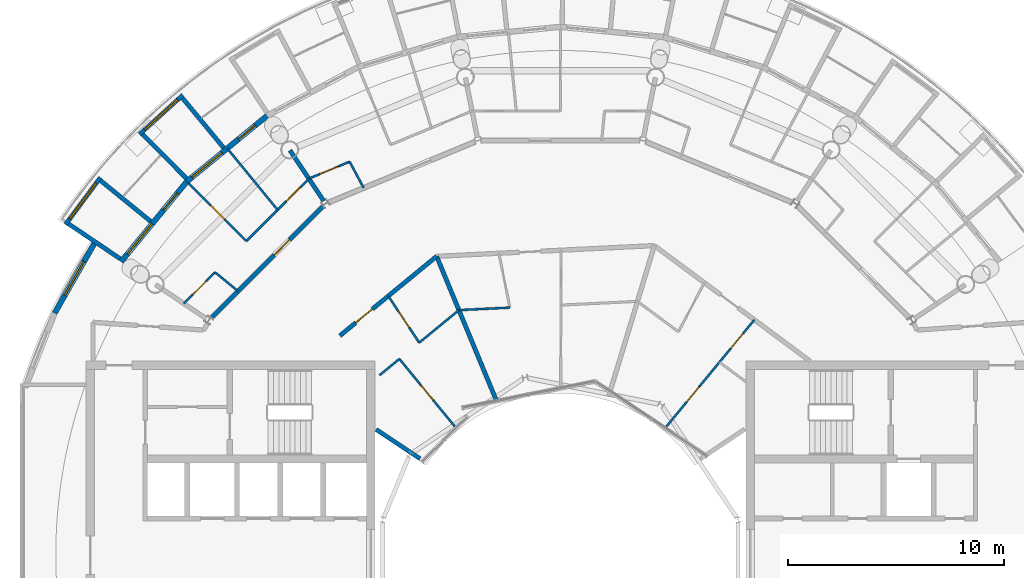
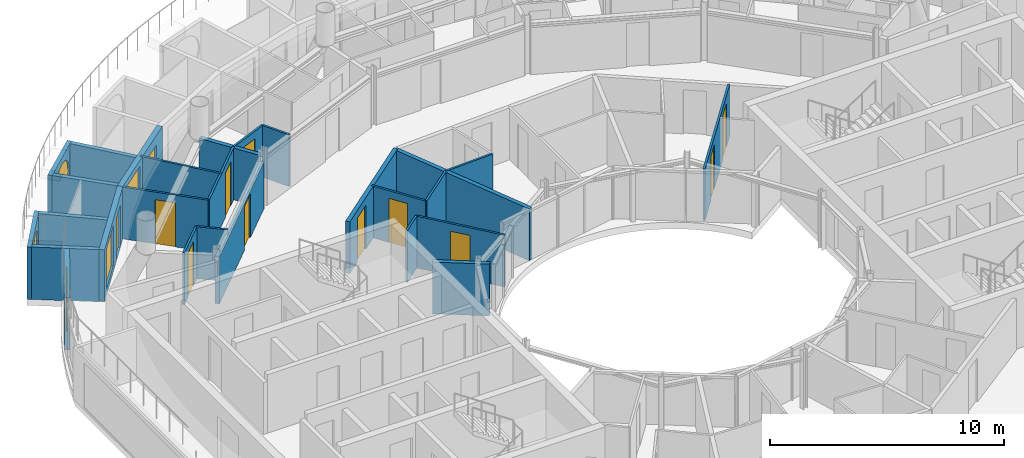
# One storey, part 18 of 25: 27 walls, 12 doors, 5 windows, 17 openings.
"""IFC4 building model written with IfcOpenShell, lengths in metres."""

from ifc_helpers import new_model, si_unit, direction, frame, frame_2d, origin, place, context, subcontext, project, spatial, rectangle, circle, extrude, material, layer, layer_set, type_object, element, fill, save


model = new_model("IFC4")

# Units and contexts
model_context = context("Model", 3, precision=1e-05, world=origin(), true_north=direction((0.0, 1.0)))
body_context = subcontext(model_context, "Body", "Model", "MODEL_VIEW")
ifc_project = project(units=[si_unit("LENGTHUNIT", "METRE"), si_unit("AREAUNIT", "SQUARE_METRE"), si_unit("VOLUMEUNIT", "CUBIC_METRE"), si_unit("PLANEANGLEUNIT", "RADIAN"), si_unit("MASSUNIT", "GRAM", prefix="KILO")], contexts=[model_context])

# Site, building, storey
site_placement = place(None, origin())
site = spatial("IfcSite", under=ifc_project, at=site_placement, CompositionType="ELEMENT")
building_placement = place(site_placement, origin())
building = spatial("IfcBuilding", under=site, at=building_placement, Name="Maasbend Ring Residences", CompositionType="ELEMENT")
storey_placement = place(building_placement, frame((0.0, 0.0, 246.25)))
storey = spatial("IfcBuildingStorey", under=building, at=storey_placement, Name="L71", CompositionType="ELEMENT", Elevation=246.25)

# Wall, opening, door
ifc_material_1 = material(Name="Concrete C30/37", Category="concrete")
ifc_layer_1 = layer(ifc_material_1, 0.199951171875)
ifc_layer_set_1 = layer_set([ifc_layer_1], Name="Concrete C30/37")
wall_type_1 = type_object("IfcWallType", Name="CORRIDOR WALL 200 CONCRETE", PredefinedType="PARTITIONING", material=ifc_layer_set_1)
wall_1_placement = place(storey_placement, frame((-10.22802734375, 10.175048828125, 0.0), z_axis=(0.0, 0.0, 1.0), x_axis=(0.772989261861, 0.634419105204, 0.0)))
wall_1 = element("IfcWall", 1, at=wall_1_placement, inside=storey, type_object=wall_type_1, Name="U-L71-w101", PredefinedType="PARTITIONING", context=body_context, shape_type="SweptSolid", body=[
    extrude(rectangle(XDim=5.803466796875, YDim=0.199951171875, at=frame_2d((2.90185546875, 0.0))), origin(), (0.0, 0.0, 1.0), 2.699951171875),
])
opening_1_placement = place(wall_1_placement, frame((0.951904296875, 0.0, 0.0)))
opening_1 = element("IfcOpeningElement", 2, at=opening_1_placement, cuts=wall_1, Name="Opening D-7129", PredefinedType="OPENING", context=body_context, shape_type="SweptSolid", body=[
    extrude(rectangle(XDim=1.0, YDim=2.300048828125, at=frame_2d((0.5, 1.14990234375))), frame((0.0, 0.10986328125, 0.0), z_axis=(0.0, -1.0, 0.0), x_axis=(1.0, 0.0, 0.0)), (0.0, 0.0, 1.0), 0.219970703125),
])
ifc_material_2 = material(Name="Timber, fire-rated, painted", Category="wood")
door_type_1 = type_object("IfcDoorType", Name="FLAT ENTRANCE DOOR 1000 X 2300 FIRE-RATED", OperationType="NOTDEFINED", PredefinedType="DOOR", material=ifc_material_2)
door_1_placement = place(opening_1_placement, origin())
door_1 = element("IfcDoor", 3, at=door_1_placement, inside=storey, type_object=door_type_1, Name="D-7129", OperationType="SINGLE_SWING_LEFT", OverallHeight=2.300048828125, OverallWidth=1.0, PredefinedType="DOOR", context=body_context, shape_type="SweptSolid", body=[
    extrude(rectangle(XDim=1.0, YDim=2.300048828125, at=frame_2d((0.5, 1.14990234375))), frame((0.0, 0.02490234375, 0.0), z_axis=(0.0, -1.0, 0.0), x_axis=(1.0, 0.0, 0.0)), (0.0, 0.0, 1.0), 0.050048828125),
])
fill(opening_1, door_1)

wall_2_placement = place(storey_placement, frame((-16.18896484375, 10.9970703125, 0.0), z_axis=(0.0, 0.0, 1.0), x_axis=(0.707106781187, 0.707106781187, 0.0)))
wall_2 = element("IfcWall", 4, at=wall_2_placement, inside=storey, type_object=wall_type_1, Name="U-L71-w102", PredefinedType="PARTITIONING", context=body_context, shape_type="SweptSolid", body=[
    extrude(rectangle(XDim=7.342529296875, YDim=0.199951171875, at=frame_2d((3.67138671875, 0.0))), origin(), (0.0, 0.0, 1.0), 2.449951171875),
])
opening_2_placement = place(wall_2_placement, frame((4.126953125, 0.0, 0.0)))
opening_2 = element("IfcOpeningElement", 5, at=opening_2_placement, cuts=wall_2, Name="Opening D-7117", PredefinedType="OPENING", context=body_context, shape_type="SweptSolid", body=[
    extrude(rectangle(XDim=1.0, YDim=2.300048828125, at=frame_2d((0.5, 1.14990234375))), frame((0.0, 0.10986328125, 0.0), z_axis=(0.0, -1.0, 0.0), x_axis=(1.0, 0.0, 0.0)), (0.0, 0.0, 1.0), 0.219970703125),
])
door_2_placement = place(opening_2_placement, origin())
door_2 = element("IfcDoor", 6, at=door_2_placement, inside=storey, type_object=door_type_1, Name="D-7117", OperationType="SINGLE_SWING_RIGHT", OverallHeight=2.300048828125, OverallWidth=1.0, PredefinedType="DOOR", context=body_context, shape_type="SweptSolid", body=[
    extrude(rectangle(XDim=1.0, YDim=2.300048828125, at=frame_2d((0.5, 1.14990234375))), frame((0.0, 0.02490234375, 0.0), z_axis=(0.0, -1.0, 0.0), x_axis=(1.0, 0.0, 0.0)), (0.0, 0.0, 1.0), 0.050048828125),
])
fill(opening_2, door_2)

# Wall, opening, window
ifc_material_3 = material(Name="Pale anodised aluminium panel", Category="aluminium")
ifc_layer_2 = layer(ifc_material_3, 0.199951171875)
ifc_layer_set_2 = layer_set([ifc_layer_2], Name="EW-BOX")
wall_type_2 = type_object("IfcWallType", Name="EW-BOX", PredefinedType="SOLIDWALL", material=ifc_layer_set_2)
wall_3_placement = place(storey_placement, frame((-17.506103515625, 21.337890625, -0.030029296875), z_axis=(0.0, 0.0, 1.0), x_axis=(-0.741016284298, -0.671487056022, 0.0)))
wall_3 = element("IfcWall", 7, at=wall_3_placement, inside=storey, type_object=wall_type_2, Name="Box front N18", PredefinedType="SOLIDWALL", context=body_context, shape_type="SweptSolid", body=[
    extrude(rectangle(XDim=2.7177734375, YDim=0.199951171875, at=frame_2d((1.35888671875, 0.0))), origin(), (0.0, 0.0, 1.0), 2.72998046875),
])
opening_3_placement = place(wall_3_placement, frame((0.319091796875, 0.0, 0.330078125)))
opening_3 = element("IfcOpeningElement", 8, at=opening_3_placement, cuts=wall_3, Name="Opening W-RD", PredefinedType="OPENING", context=body_context, shape_type="SweptSolid", body=[
    extrude(circle(Radius=1.0400390625, at=frame_2d((1.0400390625, 1.0400390625))), frame((0.0, 0.10986328125, 0.0), z_axis=(0.0, -1.0, 0.0), x_axis=(1.0, 0.0, 0.0)), (0.0, 0.0, 1.0), 0.219970703125),
])
ifc_material_4 = material(Name="Aluminium and clear glass", Category="aluminium")
window_type_1 = type_object("IfcWindowType", Name="W-RD", PartitioningType="SINGLE_PANEL", PredefinedType="WINDOW", material=ifc_material_4)
window_1_placement = place(opening_3_placement, origin())
window_1 = element("IfcWindow", 9, at=window_1_placement, inside=storey, type_object=window_type_1, Name="Round window N18", OverallHeight=2.080078125, OverallWidth=2.080078125, PartitioningType="SINGLE_PANEL", PredefinedType="WINDOW", context=body_context, shape_type="SweptSolid", body=[
    extrude(circle(Radius=1.0400390625, at=frame_2d((1.0400390625, 1.0400390625))), frame((0.0, 0.030029296875, 0.0), z_axis=(0.0, -1.0, 0.0), x_axis=(1.0, 0.0, 0.0)), (0.0, 0.0, 1.0), 0.06005859375),
])
fill(opening_3, window_1)

# Walls
wall_4_placement = place(storey_placement, frame((-15.614990234375, 18.887939453125, -0.030029296875), z_axis=(0.0, 0.0, 1.0), x_axis=(-0.637452521862, 0.770489638069, 0.0)))
element("IfcWall", 10, at=wall_4_placement, inside=storey, type_object=wall_type_2, Name="Box side wall N18 left", PredefinedType="SOLIDWALL", context=body_context, shape_type="SweptSolid", body=[
    extrude(rectangle(XDim=2.9931640625, YDim=0.199951171875, at=frame_2d((1.49658203125, 0.0))), origin(), (0.0, 0.0, 1.0), 2.72998046875),
])
wall_5_placement = place(storey_placement, frame((-17.343994140625, 17.469970703125, -0.030029296875), z_axis=(0.0, 0.0, 1.0), x_axis=(-0.704306055012, 0.709896457854, 0.0)))
element("IfcWall", 11, at=wall_5_placement, inside=storey, type_object=wall_type_2, Name="Box side wall N18 right", PredefinedType="SOLIDWALL", context=body_context, shape_type="SweptSolid", body=[
    extrude(rectangle(XDim=2.88232421875, YDim=0.199951171875, at=frame_2d((1.441162109375, 0.0))), origin(), (0.0, 0.0, 1.0), 2.72998046875),
])

# Wall, opening, window
wall_6_placement = place(storey_placement, frame((-21.33203125, 17.512939453125, -0.030029296875), z_axis=(0.0, 0.0, 1.0), x_axis=(-0.59569365177, -0.803211723794, 0.0)))
wall_6 = element("IfcWall", 12, at=wall_6_placement, inside=storey, type_object=wall_type_2, Name="Box front N20", PredefinedType="SOLIDWALL", context=body_context, shape_type="SweptSolid", body=[
    extrude(rectangle(XDim=2.7177734375, YDim=0.199951171875, at=frame_2d((1.35888671875, 0.0))), origin(), (0.0, 0.0, 1.0), 2.72998046875),
])
opening_4_placement = place(wall_6_placement, frame((0.319091796875, 0.0, 0.330078125)))
opening_4 = element("IfcOpeningElement", 13, at=opening_4_placement, cuts=wall_6, Name="Opening W-RD", PredefinedType="OPENING", context=body_context, shape_type="SweptSolid", body=[
    extrude(circle(Radius=1.0400390625, at=frame_2d((1.0400390625, 1.0400390625))), frame((0.0, 0.10986328125, 0.0), z_axis=(0.0, -1.0, 0.0), x_axis=(1.0, 0.0, 0.0)), (0.0, 0.0, 1.0), 0.219970703125),
])
window_2_placement = place(opening_4_placement, origin())
window_2 = element("IfcWindow", 14, at=window_2_placement, inside=storey, type_object=window_type_1, Name="Round window N20", OverallHeight=2.080078125, OverallWidth=2.080078125, PartitioningType="SINGLE_PANEL", PredefinedType="WINDOW", context=body_context, shape_type="SweptSolid", body=[
    extrude(circle(Radius=1.0400390625, at=frame_2d((1.0400390625, 1.0400390625))), frame((0.0, 0.030029296875, 0.0), z_axis=(0.0, -1.0, 0.0), x_axis=(1.0, 0.0, 0.0)), (0.0, 0.0, 1.0), 0.06005859375),
])
fill(opening_4, window_2)

# Walls
wall_7_placement = place(storey_placement, frame((-19.0, 15.47900390625, -0.030029296875), z_axis=(0.0, 0.0, 1.0), x_axis=(-0.775612161439, 0.631209771017, 0.0)))
element("IfcWall", 15, at=wall_7_placement, inside=storey, type_object=wall_type_2, Name="Box side wall N20 left", PredefinedType="SOLIDWALL", context=body_context, shape_type="SweptSolid", body=[
    extrude(rectangle(XDim=2.992431640625, YDim=0.199951171875, at=frame_2d((1.49609375, 0.0))), origin(), (0.0, 0.0, 1.0), 2.72998046875),
])
wall_8_placement = place(storey_placement, frame((-20.4189453125, 13.75, -0.030029296875), z_axis=(0.0, 0.0, 1.0), x_axis=(-0.829211810515, 0.558934498222, 0.0)))
element("IfcWall", 16, at=wall_8_placement, inside=storey, type_object=wall_type_2, Name="Box side wall N20 right", PredefinedType="SOLIDWALL", context=body_context, shape_type="SweptSolid", body=[
    extrude(rectangle(XDim=2.88232421875, YDim=0.199951171875, at=frame_2d((1.441162109375, 0.0))), origin(), (0.0, 0.0, 1.0), 2.72998046875),
])

# Wall, openings, door, window
ifc_material_5 = material(Name="Aluminium clad insulated panel", Category="aluminium")
ifc_layer_3 = layer(ifc_material_5, 0.25)
ifc_layer_set_3 = layer_set([ifc_layer_3], Name="EW-GL")
wall_type_3 = type_object("IfcWallType", Name="EW-GL", PredefinedType="SOLIDWALL", material=ifc_layer_set_3)
wall_9_placement = place(storey_placement, frame((-13.611083984375, 20.37109375, 0.0), z_axis=(0.0, 0.0, 1.0), x_axis=(-0.773007538262, -0.634396836208, 0.0)))
wall_9 = element("IfcWall", 17, at=wall_9_placement, inside=storey, type_object=wall_type_3, Name="External wall N09", PredefinedType="SOLIDWALL", context=body_context, shape_type="SweptSolid", body=[
    extrude(rectangle(XDim=4.80322265625, YDim=0.25, at=frame_2d((2.401611328125, 0.0))), origin(), (0.0, 0.0, 1.0), 2.699951171875),
])
opening_5_placement = place(wall_9_placement, frame((0.70361328125, 0.0, 0.0)))
opening_5 = element("IfcOpeningElement", 18, at=opening_5_placement, cuts=wall_9, Name="Opening D-LG", PredefinedType="OPENING", context=body_context, shape_type="SweptSolid", body=[
    extrude(rectangle(XDim=1.0, YDim=2.199951171875, at=frame_2d((0.5, 1.10009765625))), frame((0.0, 0.135009765625, 0.0), z_axis=(0.0, -1.0, 0.0), x_axis=(1.0, 0.0, 0.0)), (0.0, 0.0, 1.0), 0.27001953125),
])
opening_6_placement = place(wall_9_placement, frame((2.69921875, 0.0, 0.300048828125)))
opening_6 = element("IfcOpeningElement", 19, at=opening_6_placement, cuts=wall_9, Name="Opening W-BX", PredefinedType="OPENING", context=body_context, shape_type="SweptSolid", body=[
    extrude(rectangle(XDim=1.800048828125, YDim=2.10009765625, at=frame_2d((0.89990234375, 1.050048828125))), frame((0.0, 0.135009765625, 0.0), z_axis=(0.0, -1.0, 0.0), x_axis=(1.0, 0.0, 0.0)), (0.0, 0.0, 1.0), 0.27001953125),
])
ifc_material_6 = material(Name="Aluminium and clear glass", Category="aluminium")
door_type_2 = type_object("IfcDoorType", Name="D-LG", OperationType="SINGLE_SWING_LEFT", PredefinedType="DOOR", material=ifc_material_6)
door_3_placement = place(opening_5_placement, origin())
door_3 = element("IfcDoor", 20, at=door_3_placement, inside=storey, type_object=door_type_2, Name="Loggia door N17", OperationType="SINGLE_SWING_LEFT", OverallHeight=2.199951171875, OverallWidth=1.0, PredefinedType="DOOR", context=body_context, shape_type="SweptSolid", body=[
    extrude(rectangle(XDim=1.0, YDim=2.199951171875, at=frame_2d((0.5, 1.10009765625))), frame((0.0, 0.02490234375, 0.0), z_axis=(0.0, -1.0, 0.0), x_axis=(1.0, 0.0, 0.0)), (0.0, 0.0, 1.0), 0.050048828125),
])
fill(opening_5, door_3)
ifc_material_7 = material(Name="Aluminium and clear glass", Category="aluminium")
window_type_2 = type_object("IfcWindowType", Name="W-BX", PartitioningType="DOUBLE_PANEL_VERTICAL", PredefinedType="WINDOW", material=ifc_material_7)
window_3_placement = place(opening_6_placement, origin())
window_3 = element("IfcWindow", 21, at=window_3_placement, inside=storey, type_object=window_type_2, Name="Window N18 room to box", OverallHeight=2.10009765625, OverallWidth=1.800048828125, PartitioningType="SINGLE_PANEL", PredefinedType="WINDOW", context=body_context, shape_type="SweptSolid", body=[
    extrude(rectangle(XDim=1.800048828125, YDim=2.10009765625, at=frame_2d((0.89990234375, 1.050048828125))), frame((0.0, 0.030029296875, 0.0), z_axis=(0.0, -1.0, 0.0), x_axis=(1.0, 0.0, 0.0)), (0.0, 0.0, 1.0), 0.06005859375),
])
fill(opening_6, window_3)

wall_10_placement = place(storey_placement, frame((-17.323974609375, 17.323974609375, 0.0), z_axis=(0.0, 0.0, 1.0), x_axis=(-0.634396836208, -0.773007538262, 0.0)))
wall_10 = element("IfcWall", 22, at=wall_10_placement, inside=storey, type_object=wall_type_3, Name="External wall N10", PredefinedType="SOLIDWALL", context=body_context, shape_type="SweptSolid", body=[
    extrude(rectangle(XDim=4.80322265625, YDim=0.25, at=frame_2d((2.401611328125, 0.0))), origin(), (0.0, 0.0, 1.0), 2.699951171875),
])
opening_7_placement = place(wall_10_placement, frame((0.70361328125, 0.0, 0.0)))
opening_7 = element("IfcOpeningElement", 23, at=opening_7_placement, cuts=wall_10, Name="Opening D-LG", PredefinedType="OPENING", context=body_context, shape_type="SweptSolid", body=[
    extrude(rectangle(XDim=1.0, YDim=2.199951171875, at=frame_2d((0.5, 1.10009765625))), frame((0.0, 0.135009765625, 0.0), z_axis=(0.0, -1.0, 0.0), x_axis=(1.0, 0.0, 0.0)), (0.0, 0.0, 1.0), 0.27001953125),
])
opening_8_placement = place(wall_10_placement, frame((2.54150390625, 0.0, 0.300048828125)))
opening_8 = element("IfcOpeningElement", 24, at=opening_8_placement, cuts=wall_10, Name="Opening W-BX", PredefinedType="OPENING", context=body_context, shape_type="SweptSolid", body=[
    extrude(rectangle(XDim=1.800048828125, YDim=2.10009765625, at=frame_2d((0.89990234375, 1.050048828125))), frame((0.0, 0.135009765625, 0.0), z_axis=(0.0, -1.0, 0.0), x_axis=(1.0, 0.0, 0.0)), (0.0, 0.0, 1.0), 0.27001953125),
])
door_4_placement = place(opening_7_placement, origin())
door_4 = element("IfcDoor", 25, at=door_4_placement, inside=storey, type_object=door_type_2, Name="Loggia door N19", OperationType="SINGLE_SWING_LEFT", OverallHeight=2.199951171875, OverallWidth=1.0, PredefinedType="DOOR", context=body_context, shape_type="SweptSolid", body=[
    extrude(rectangle(XDim=1.0, YDim=2.199951171875, at=frame_2d((0.5, 1.10009765625))), frame((0.0, 0.02490234375, 0.0), z_axis=(0.0, -1.0, 0.0), x_axis=(1.0, 0.0, 0.0)), (0.0, 0.0, 1.0), 0.050048828125),
])
fill(opening_7, door_4)
window_4_placement = place(opening_8_placement, origin())
window_4 = element("IfcWindow", 26, at=window_4_placement, inside=storey, type_object=window_type_2, Name="Window N20 room to box", OverallHeight=2.10009765625, OverallWidth=1.800048828125, PartitioningType="SINGLE_PANEL", PredefinedType="WINDOW", context=body_context, shape_type="SweptSolid", body=[
    extrude(rectangle(XDim=1.800048828125, YDim=2.10009765625, at=frame_2d((0.89990234375, 1.050048828125))), frame((0.0, 0.030029296875, 0.0), z_axis=(0.0, -1.0, 0.0), x_axis=(1.0, 0.0, 0.0)), (0.0, 0.0, 1.0), 0.06005859375),
])
fill(opening_8, window_4)

# Wall, opening, window
ifc_material_8 = material(Name="Aluminium clad insulated panel", Category="aluminium")
ifc_layer_4 = layer(ifc_material_8, 0.25)
ifc_layer_set_4 = layer_set([ifc_layer_4], Name="EW-HORN")
wall_type_4 = type_object("IfcWallType", Name="EW-HORN", PredefinedType="SOLIDWALL", material=ifc_layer_set_4)
wall_11_placement = place(storey_placement, frame((-21.617919921875, 14.445068359375, 0.0), z_axis=(0.0, 0.0, 1.0), x_axis=(-0.495031435966, -0.868875064325, 0.0)))
wall_11 = element("IfcWall", 27, at=wall_11_placement, inside=storey, type_object=wall_type_4, Name="Horn wall 4.1", PredefinedType="SOLIDWALL", context=body_context, shape_type="SweptSolid", body=[
    extrude(rectangle(XDim=3.704833984375, YDim=0.25, at=frame_2d((1.8525390625, 0.0))), origin(), (0.0, 0.0, 1.0), 2.699951171875),
])
opening_9_placement = place(wall_11_placement, frame((0.952392578125, 0.0, 0.300048828125)))
opening_9 = element("IfcOpeningElement", 28, at=opening_9_placement, cuts=wall_11, Name="Opening W-BX", PredefinedType="OPENING", context=body_context, shape_type="SweptSolid", body=[
    extrude(rectangle(XDim=1.800048828125, YDim=2.10009765625, at=frame_2d((0.89990234375, 1.050048828125))), frame((0.0, 0.135009765625, 0.0), z_axis=(0.0, -1.0, 0.0), x_axis=(1.0, 0.0, 0.0)), (0.0, 0.0, 1.0), 0.27001953125),
])
window_5_placement = place(opening_9_placement, origin())
window_5 = element("IfcWindow", 29, at=window_5_placement, inside=storey, type_object=window_type_2, Name="Horn window 4.1", OverallHeight=2.10009765625, OverallWidth=1.800048828125, PartitioningType="SINGLE_PANEL", PredefinedType="WINDOW", context=body_context, shape_type="SweptSolid", body=[
    extrude(rectangle(XDim=1.800048828125, YDim=2.10009765625, at=frame_2d((0.89990234375, 1.050048828125))), frame((0.0, 0.030029296875, 0.0), z_axis=(0.0, -1.0, 0.0), x_axis=(1.0, 0.0, 0.0)), (0.0, 0.0, 1.0), 0.06005859375),
])
fill(opening_9, window_5)

# Wall
ifc_material_9 = material(Name="Gypsum board on steel studs", Category="steel")
ifc_layer_5 = layer(ifc_material_9, 0.10009765625)
ifc_layer_set_5 = layer_set([ifc_layer_5], Name="PARTITION 100 GYPSUM")
wall_type_5 = type_object("IfcWallType", Name="PARTITION 100 GYPSUM", PredefinedType="PARTITIONING", material=ifc_layer_set_5)
wall_12_placement = place(storey_placement, frame((-9.77392578125, 18.2451171875, 0.0), z_axis=(0.0, 0.0, 1.0), x_axis=(0.471597872193, -0.881813725762, 0.0)))
element("IfcWall", 30, at=wall_12_placement, inside=storey, type_object=wall_type_5, Name="U-L71-w030", PredefinedType="PARTITIONING", context=body_context, shape_type="SweptSolid", body=[
    extrude(rectangle(XDim=1.380126953125, YDim=0.10009765625, at=frame_2d((0.68994140625, 0.0))), origin(), (0.0, 0.0, 1.0), 2.699951171875),
])

# Wall, opening, door
wall_13_placement = place(storey_placement, frame((-17.236083984375, 17.236083984375, 0.0), z_axis=(0.0, 0.0, 1.0), x_axis=(0.707106781187, -0.707106781187, 0.0)))
wall_13 = element("IfcWall", 31, at=wall_13_placement, inside=storey, type_object=wall_type_5, Name="U-L71-w036", PredefinedType="PARTITIONING", context=body_context, shape_type="SweptSolid", body=[
    extrude(rectangle(XDim=3.779052734375, YDim=0.10009765625, at=frame_2d((1.8896484375, 0.0))), origin(), (0.0, 0.0, 1.0), 2.699951171875),
])
opening_10_placement = place(wall_13_placement, frame((1.43896484375, 0.0, 0.0)))
opening_10 = element("IfcOpeningElement", 32, at=opening_10_placement, cuts=wall_13, Name="Opening D-7119", PredefinedType="OPENING", context=body_context, shape_type="SweptSolid", body=[
    extrude(rectangle(XDim=0.89990234375, YDim=2.300048828125, at=frame_2d((0.449951171875, 1.14990234375))), frame((0.0, 0.06005859375, 0.0), z_axis=(0.0, -1.0, 0.0), x_axis=(1.0, 0.0, 0.0)), (0.0, 0.0, 1.0), 0.1201171875),
])
ifc_material_10 = material(Name="Timber, painted", Category="wood")
door_type_3 = type_object("IfcDoorType", Name="INTERNAL DOOR 900 X 2300", OperationType="NOTDEFINED", PredefinedType="DOOR", material=ifc_material_10)
door_5_placement = place(opening_10_placement, origin())
door_5 = element("IfcDoor", 33, at=door_5_placement, inside=storey, type_object=door_type_3, Name="D-7119", OperationType="SINGLE_SWING_RIGHT", OverallHeight=2.300048828125, OverallWidth=0.89990234375, PredefinedType="DOOR", context=body_context, shape_type="SweptSolid", body=[
    extrude(rectangle(XDim=0.89990234375, YDim=2.300048828125, at=frame_2d((0.449951171875, 1.14990234375))), frame((0.0, 0.02490234375, 0.0), z_axis=(0.0, -1.0, 0.0), x_axis=(1.0, 0.0, 0.0)), (0.0, 0.0, 1.0), 0.050048828125),
])
fill(opening_10, door_5)

# Walls
wall_14_placement = place(storey_placement, frame((-16.011962890625, 13.114990234375, 0.0), z_axis=(0.0, 0.0, 1.0), x_axis=(0.773562805085, -0.633719643525, 0.0)))
element("IfcWall", 34, at=wall_14_placement, inside=storey, type_object=wall_type_5, Name="U-L71-w037", PredefinedType="PARTITIONING", context=body_context, shape_type="SweptSolid", body=[
    extrude(rectangle(XDim=1.379150390625, YDim=0.10009765625, at=frame_2d((0.689453125, 0.0))), origin(), (0.0, 0.0, 1.0), 2.699951171875),
])
wall_15_placement = place(storey_placement, frame((-15.445068359375, 18.85693359375, 0.0), z_axis=(0.0, 0.0, 1.0), x_axis=(0.633624546958, -0.773640700514, 0.0)))
element("IfcWall", 35, at=wall_15_placement, inside=storey, type_object=wall_type_5, Name="U-L71-w040", PredefinedType="PARTITIONING", context=body_context, shape_type="SweptSolid", body=[
    extrude(rectangle(XDim=3.677490234375, YDim=0.10009765625, at=frame_2d((1.8388671875, 0.0))), origin(), (0.0, 0.0, 1.0), 2.699951171875),
])

# Wall, opening, door
wall_16_placement = place(storey_placement, frame((-7.98388671875, 12.01708984375, 0.0), z_axis=(0.0, 0.0, 1.0), x_axis=(0.553289146762, -0.832989267683, 0.0)))
wall_16 = element("IfcWall", 36, at=wall_16_placement, inside=storey, type_object=wall_type_5, Name="U-L71-w046", PredefinedType="PARTITIONING", context=body_context, shape_type="SweptSolid", body=[
    extrude(rectangle(XDim=2.5966796875, YDim=0.10009765625, at=frame_2d((1.29833984375, 0.0))), origin(), (0.0, 0.0, 1.0), 2.699951171875),
])
opening_11_placement = place(wall_16_placement, frame((0.847900390625, 0.0, 0.0)))
opening_11 = element("IfcOpeningElement", 37, at=opening_11_placement, cuts=wall_16, Name="Opening D-7130", PredefinedType="OPENING", context=body_context, shape_type="SweptSolid", body=[
    extrude(rectangle(XDim=0.89990234375, YDim=2.300048828125, at=frame_2d((0.449951171875, 1.14990234375))), frame((0.0, 0.06005859375, 0.0), z_axis=(0.0, -1.0, 0.0), x_axis=(1.0, 0.0, 0.0)), (0.0, 0.0, 1.0), 0.1201171875),
])
door_6_placement = place(opening_11_placement, origin())
door_6 = element("IfcDoor", 38, at=door_6_placement, inside=storey, type_object=door_type_3, Name="D-7130", OperationType="SINGLE_SWING_RIGHT", OverallHeight=2.300048828125, OverallWidth=0.89990234375, PredefinedType="DOOR", context=body_context, shape_type="SweptSolid", body=[
    extrude(rectangle(XDim=0.89990234375, YDim=2.300048828125, at=frame_2d((0.449951171875, 1.14990234375))), frame((0.0, 0.02490234375, 0.0), z_axis=(0.0, -1.0, 0.0), x_axis=(1.0, 0.0, 0.0)), (0.0, 0.0, 1.0), 0.050048828125),
])
fill(opening_11, door_6)

wall_17_placement = place(storey_placement, frame((-7.467041015625, 9.09912109375, 0.0), z_axis=(0.0, 0.0, 1.0), x_axis=(0.634313840507, -0.773075644256, 0.0)))
wall_17 = element("IfcWall", 39, at=wall_17_placement, inside=storey, type_object=wall_type_5, Name="U-L71-w048", PredefinedType="PARTITIONING", context=body_context, shape_type="SweptSolid", body=[
    extrude(rectangle(XDim=4.05029296875, YDim=0.10009765625, at=frame_2d((2.025146484375, 0.0))), origin(), (0.0, 0.0, 1.0), 2.699951171875),
])
opening_12_placement = place(wall_17_placement, frame((1.574951171875, 0.0, 0.0)))
opening_12 = element("IfcOpeningElement", 40, at=opening_12_placement, cuts=wall_17, Name="Opening D-7131", PredefinedType="OPENING", context=body_context, shape_type="SweptSolid", body=[
    extrude(rectangle(XDim=0.89990234375, YDim=2.300048828125, at=frame_2d((0.449951171875, 1.14990234375))), frame((0.0, 0.06005859375, 0.0), z_axis=(0.0, -1.0, 0.0), x_axis=(1.0, 0.0, 0.0)), (0.0, 0.0, 1.0), 0.1201171875),
])
door_7_placement = place(opening_12_placement, origin())
door_7 = element("IfcDoor", 41, at=door_7_placement, inside=storey, type_object=door_type_3, Name="D-7131", OperationType="SINGLE_SWING_RIGHT", OverallHeight=2.300048828125, OverallWidth=0.89990234375, PredefinedType="DOOR", context=body_context, shape_type="SweptSolid", body=[
    extrude(rectangle(XDim=0.89990234375, YDim=2.300048828125, at=frame_2d((0.449951171875, 1.14990234375))), frame((0.0, 0.02490234375, 0.0), z_axis=(0.0, -1.0, 0.0), x_axis=(1.0, 0.0, 0.0)), (0.0, 0.0, 1.0), 0.050048828125),
])
fill(opening_12, door_7)

# Wall, openings, doors
wall_18_placement = place(storey_placement, frame((4.908935546875, 5.9580078125, 0.0), z_axis=(0.0, 0.0, 1.0), x_axis=(0.635941750694, 0.771737059965, 0.0)))
wall_18 = element("IfcWall", 42, at=wall_18_placement, inside=storey, type_object=wall_type_5, Name="U-L71-w070", PredefinedType="PARTITIONING", context=body_context, shape_type="SweptSolid", body=[
    extrude(rectangle(XDim=6.421875, YDim=0.10009765625, at=frame_2d((3.2109375, 0.0))), origin(), (0.0, 0.0, 1.0), 2.699951171875),
])
opening_13_placement = place(wall_18_placement, frame((4.698974609375, 0.0, 0.0)))
opening_13 = element("IfcOpeningElement", 43, at=opening_13_placement, cuts=wall_18, Name="Opening D-7123", PredefinedType="OPENING", context=body_context, shape_type="SweptSolid", body=[
    extrude(rectangle(XDim=0.89990234375, YDim=2.300048828125, at=frame_2d((0.449951171875, 1.14990234375))), frame((0.0, 0.06005859375, 0.0), z_axis=(0.0, -1.0, 0.0), x_axis=(1.0, 0.0, 0.0)), (0.0, 0.0, 1.0), 0.1201171875),
])
opening_14_placement = place(wall_18_placement, frame((1.488037109375, 0.0, 0.0)))
opening_14 = element("IfcOpeningElement", 44, at=opening_14_placement, cuts=wall_18, Name="Opening D-7124", PredefinedType="OPENING", context=body_context, shape_type="SweptSolid", body=[
    extrude(rectangle(XDim=0.89990234375, YDim=2.300048828125, at=frame_2d((0.449951171875, 1.14990234375))), frame((0.0, 0.06005859375, 0.0), z_axis=(0.0, -1.0, 0.0), x_axis=(1.0, 0.0, 0.0)), (0.0, 0.0, 1.0), 0.1201171875),
])
door_8_placement = place(opening_13_placement, origin())
door_8 = element("IfcDoor", 45, at=door_8_placement, inside=storey, type_object=door_type_3, Name="D-7123", OperationType="SINGLE_SWING_RIGHT", OverallHeight=2.300048828125, OverallWidth=0.89990234375, PredefinedType="DOOR", context=body_context, shape_type="SweptSolid", body=[
    extrude(rectangle(XDim=0.89990234375, YDim=2.300048828125, at=frame_2d((0.449951171875, 1.14990234375))), frame((0.0, 0.02490234375, 0.0), z_axis=(0.0, -1.0, 0.0), x_axis=(1.0, 0.0, 0.0)), (0.0, 0.0, 1.0), 0.050048828125),
])
fill(opening_13, door_8)
door_9_placement = place(opening_14_placement, origin())
door_9 = element("IfcDoor", 46, at=door_9_placement, inside=storey, type_object=door_type_3, Name="D-7124", OperationType="SINGLE_SWING_LEFT", OverallHeight=2.300048828125, OverallWidth=0.89990234375, PredefinedType="DOOR", context=body_context, shape_type="SweptSolid", body=[
    extrude(rectangle(XDim=0.89990234375, YDim=2.300048828125, at=frame_2d((0.449951171875, 1.14990234375))), frame((0.0, 0.02490234375, 0.0), z_axis=(0.0, -1.0, 0.0), x_axis=(1.0, 0.0, 0.0)), (0.0, 0.0, 1.0), 0.050048828125),
])
fill(opening_14, door_9)

# Walls
wall_19_placement = place(storey_placement, frame((-4.70703125, 11.364013671875, 0.0), z_axis=(0.0, 0.0, 1.0), x_axis=(0.998799958351, 0.048975945103, 0.0)))
element("IfcWall", 47, at=wall_19_placement, inside=storey, type_object=wall_type_5, Name="U-L71-w093", PredefinedType="PARTITIONING", context=body_context, shape_type="SweptSolid", body=[
    extrude(rectangle(XDim=2.367919921875, YDim=0.10009765625, at=frame_2d((1.18408203125, 0.0))), origin(), (0.0, 0.0, 1.0), 2.699951171875),
])
wall_20_placement = place(storey_placement, frame((-8.386962890625, 8.343994140625, 0.0), z_axis=(0.0, 0.0, 1.0), x_axis=(0.772869802794, 0.634564628646, 0.0)))
element("IfcWall", 48, at=wall_20_placement, inside=storey, type_object=wall_type_5, Name="U-L71-w097", PredefinedType="PARTITIONING", context=body_context, shape_type="SweptSolid", body=[
    extrude(rectangle(XDim=1.191650390625, YDim=0.10009765625, at=frame_2d((0.595703125, 0.0))), origin(), (0.0, 0.0, 1.0), 2.699951171875),
])
wall_21_placement = place(storey_placement, frame((-6.547119140625, 9.85400390625, 0.0), z_axis=(0.0, 0.0, 1.0), x_axis=(0.773033390712, 0.634365333893, 0.0)))
element("IfcWall", 49, at=wall_21_placement, inside=storey, type_object=wall_type_5, Name="U-L71-w098", PredefinedType="PARTITIONING", context=body_context, shape_type="SweptSolid", body=[
    extrude(rectangle(XDim=2.38037109375, YDim=0.10009765625, at=frame_2d((1.190185546875, 0.0))), origin(), (0.0, 0.0, 1.0), 2.699951171875),
])

# Wall, opening, door
wall_22_placement = place(storey_placement, frame((-17.4609375, 11.6669921875, 0.0), z_axis=(0.0, 0.0, 1.0), x_axis=(0.707345104989, 0.706868377032, 0.0)))
wall_22 = element("IfcWall", 50, at=wall_22_placement, inside=storey, type_object=wall_type_5, Name="U-L71-w109", PredefinedType="PARTITIONING", context=body_context, shape_type="SweptSolid", body=[
    extrude(rectangle(XDim=2.048583984375, YDim=0.10009765625, at=frame_2d((1.0244140625, 0.0))), origin(), (0.0, 0.0, 1.0), 2.699951171875),
])
opening_15_placement = place(wall_22_placement, frame((0.573974609375, 0.0, 0.0)))
opening_15 = element("IfcOpeningElement", 51, at=opening_15_placement, cuts=wall_22, Name="Opening D-7118", PredefinedType="OPENING", context=body_context, shape_type="SweptSolid", body=[
    extrude(rectangle(XDim=0.89990234375, YDim=2.300048828125, at=frame_2d((0.449951171875, 1.14990234375))), frame((0.0, 0.06005859375, 0.0), z_axis=(0.0, -1.0, 0.0), x_axis=(1.0, 0.0, 0.0)), (0.0, 0.0, 1.0), 0.1201171875),
])
door_10_placement = place(opening_15_placement, origin())
door_10 = element("IfcDoor", 52, at=door_10_placement, inside=storey, type_object=door_type_3, Name="D-7118", OperationType="SINGLE_SWING_LEFT", OverallHeight=2.300048828125, OverallWidth=0.89990234375, PredefinedType="DOOR", context=body_context, shape_type="SweptSolid", body=[
    extrude(rectangle(XDim=0.89990234375, YDim=2.300048828125, at=frame_2d((0.449951171875, 1.14990234375))), frame((0.0, 0.02490234375, 0.0), z_axis=(0.0, -1.0, 0.0), x_axis=(1.0, 0.0, 0.0)), (0.0, 0.0, 1.0), 0.050048828125),
])
fill(opening_15, door_10)

wall_23_placement = place(storey_placement, frame((-14.56298828125, 14.56298828125, 0.0), z_axis=(0.0, 0.0, 1.0), x_axis=(0.707344284494, 0.70686919808, 0.0)))
wall_23 = element("IfcWall", 53, at=wall_23_placement, inside=storey, type_object=wall_type_5, Name="U-L71-w110", PredefinedType="PARTITIONING", context=body_context, shape_type="SweptSolid", body=[
    extrude(rectangle(XDim=4.111083984375, YDim=0.10009765625, at=frame_2d((2.0556640625, 0.0))), origin(), (0.0, 0.0, 1.0), 2.699951171875),
])
opening_16_placement = place(wall_23_placement, frame((2.6259765625, 0.0, 0.0)))
opening_16 = element("IfcOpeningElement", 54, at=opening_16_placement, cuts=wall_23, Name="Opening D-7120", PredefinedType="OPENING", context=body_context, shape_type="SweptSolid", body=[
    extrude(rectangle(XDim=0.89990234375, YDim=2.300048828125, at=frame_2d((0.449951171875, 1.14990234375))), frame((0.0, 0.06005859375, 0.0), z_axis=(0.0, -1.0, 0.0), x_axis=(1.0, 0.0, 0.0)), (0.0, 0.0, 1.0), 0.1201171875),
])
door_11_placement = place(opening_16_placement, origin())
door_11 = element("IfcDoor", 55, at=door_11_placement, inside=storey, type_object=door_type_3, Name="D-7120", OperationType="SINGLE_SWING_RIGHT", OverallHeight=2.300048828125, OverallWidth=0.89990234375, PredefinedType="DOOR", context=body_context, shape_type="SweptSolid", body=[
    extrude(rectangle(XDim=0.89990234375, YDim=2.300048828125, at=frame_2d((0.449951171875, 1.14990234375))), frame((0.0, 0.02490234375, 0.0), z_axis=(0.0, -1.0, 0.0), x_axis=(1.0, 0.0, 0.0)), (0.0, 0.0, 1.0), 0.050048828125),
])
fill(opening_16, door_11)

wall_24_placement = place(storey_placement, frame((-11.6669921875, 17.4609375, 0.0), z_axis=(0.0, 0.0, 1.0), x_axis=(0.923871611223, 0.382702555487, 0.0)))
wall_24 = element("IfcWall", 56, at=wall_24_placement, inside=storey, type_object=wall_type_5, Name="U-L71-w111", PredefinedType="PARTITIONING", context=body_context, shape_type="SweptSolid", body=[
    extrude(rectangle(XDim=2.049072265625, YDim=0.10009765625, at=frame_2d((1.0244140625, 0.0))), origin(), (0.0, 0.0, 1.0), 2.699951171875),
])
opening_17_placement = place(wall_24_placement, frame((0.573974609375, 0.0, 0.0)))
opening_17 = element("IfcOpeningElement", 57, at=opening_17_placement, cuts=wall_24, Name="Opening D-7114", PredefinedType="OPENING", context=body_context, shape_type="SweptSolid", body=[
    extrude(rectangle(XDim=0.89990234375, YDim=2.300048828125, at=frame_2d((0.449951171875, 1.14990234375))), frame((0.0, 0.06005859375, 0.0), z_axis=(0.0, -1.0, 0.0), x_axis=(1.0, 0.0, 0.0)), (0.0, 0.0, 1.0), 0.1201171875),
])
door_12_placement = place(opening_17_placement, origin())
door_12 = element("IfcDoor", 58, at=door_12_placement, inside=storey, type_object=door_type_3, Name="D-7114", OperationType="SINGLE_SWING_LEFT", OverallHeight=2.300048828125, OverallWidth=0.89990234375, PredefinedType="DOOR", context=body_context, shape_type="SweptSolid", body=[
    extrude(rectangle(XDim=0.89990234375, YDim=2.300048828125, at=frame_2d((0.449951171875, 1.14990234375))), frame((0.0, 0.02490234375, 0.0), z_axis=(0.0, -1.0, 0.0), x_axis=(1.0, 0.0, 0.0)), (0.0, 0.0, 1.0), 0.050048828125),
])
fill(opening_17, door_12)

# Walls
ifc_material_11 = material(Name="Concrete C30/37", Category="concrete")
ifc_layer_6 = layer(ifc_material_11, 0.199951171875)
ifc_layer_set_6 = layer_set([ifc_layer_6], Name="Concrete C30/37")
wall_type_6 = type_object("IfcWallType", Name="PARTY WALL 200 CONCRETE", PredefinedType="PARTITIONING", material=ifc_layer_set_6)
wall_25_placement = place(storey_placement, frame((-12.541015625, 18.76904296875, 0.0), z_axis=(0.0, 0.0, 1.0), x_axis=(0.555797325324, -0.83131782921, 0.0)))
element("IfcWall", 59, at=wall_25_placement, inside=storey, type_object=wall_type_6, Name="U-L71-w041", PredefinedType="PARTITIONING", context=body_context, shape_type="SweptSolid", body=[
    extrude(rectangle(XDim=2.8232421875, YDim=0.199951171875, at=frame_2d((1.41162109375, 0.0))), origin(), (0.0, 0.0, 1.0), 2.699951171875),
])
wall_26_placement = place(storey_placement, frame((-5.739990234375, 13.85791015625, 0.0), z_axis=(0.0, 0.0, 1.0), x_axis=(0.38267858248, -0.923881541385, 0.0)))
element("IfcWall", 60, at=wall_26_placement, inside=storey, type_object=wall_type_6, Name="U-L71-w052", PredefinedType="PARTITIONING", context=body_context, shape_type="SweptSolid", body=[
    extrude(rectangle(XDim=7.280029296875, YDim=0.199951171875, at=frame_2d((3.64013671875, 0.0))), origin(), (0.0, 0.0, 1.0), 2.699951171875),
])
wall_27_placement = place(storey_placement, frame((-6.512939453125, 4.471923828125, 0.0), z_axis=(0.0, 0.0, 1.0), x_axis=(-0.831450132577, 0.555599385382, 0.0)))
element("IfcWall", 61, at=wall_27_placement, inside=storey, type_object=wall_type_6, Name="U-L71-w089", PredefinedType="PARTITIONING", context=body_context, shape_type="SweptSolid", body=[
    extrude(rectangle(XDim=2.442626953125, YDim=0.199951171875, at=frame_2d((1.22119140625, 0.0))), origin(), (0.0, 0.0, 1.0), 2.699951171875),
])

save(model, "model.ifc")
